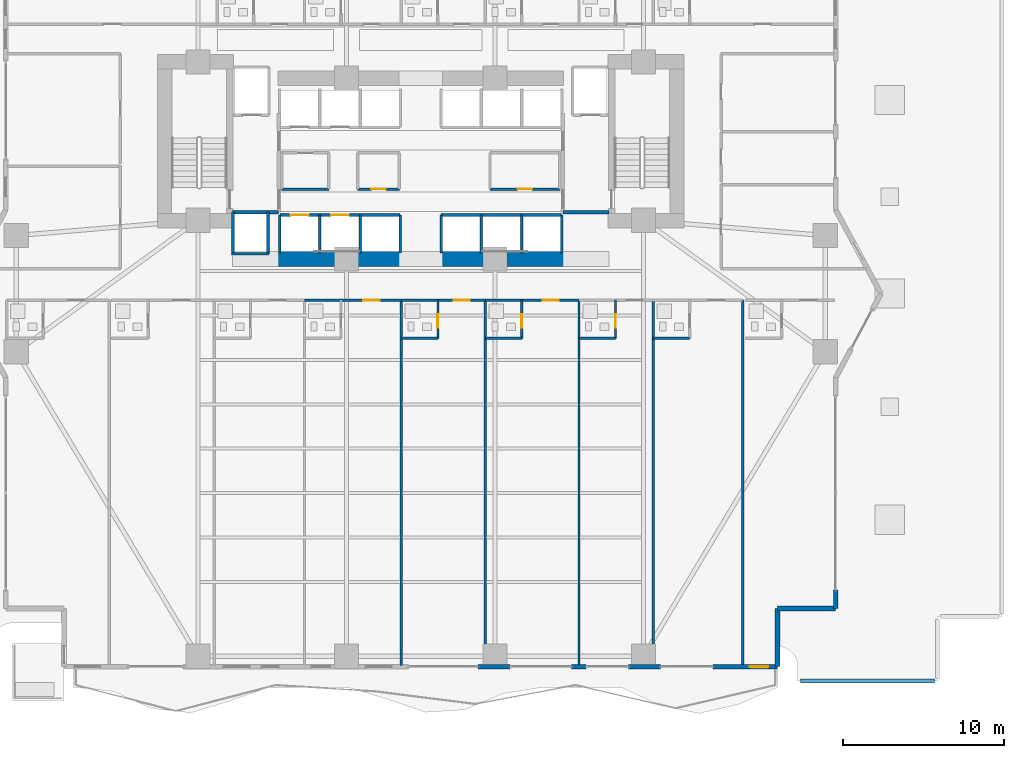
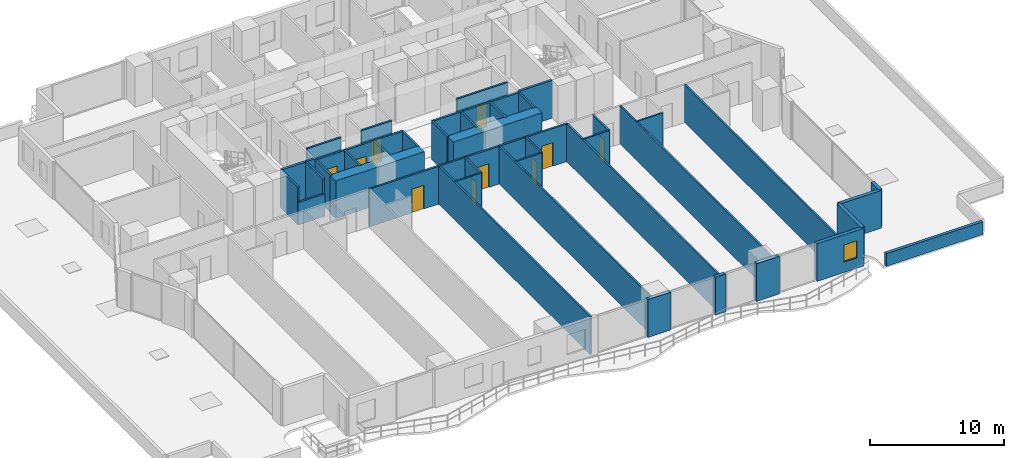
# One storey, part 21 of 30: 47 walls, 10 doors, 1 window, 11 openings.
"""IFC4 building model written with IfcOpenShell, lengths in metres."""

from ifc_helpers import new_model, si_unit, direction, frame, frame_2d, origin, place, context, subcontext, project, spatial, rectangle, extrude, material, layer, layer_set, type_object, element, fill, save


model = new_model("IFC4")

# Units and contexts
model_context = context("Model", 3, precision=1e-05, world=origin(), true_north=direction((0.0, 1.0)))
body_context = subcontext(model_context, "Body", "Model", "MODEL_VIEW")
ifc_project = project(units=[si_unit("LENGTHUNIT", "METRE"), si_unit("AREAUNIT", "SQUARE_METRE"), si_unit("VOLUMEUNIT", "CUBIC_METRE"), si_unit("PLANEANGLEUNIT", "RADIAN"), si_unit("MASSUNIT", "GRAM", prefix="KILO")], contexts=[model_context])

# Site, building, storey
site_placement = place(None, origin())
site = spatial("IfcSite", under=ifc_project, at=site_placement, CompositionType="ELEMENT")
building_placement = place(site_placement, origin())
building = spatial("IfcBuilding", under=site, at=building_placement, Name="Zuhayl Quay Hotel", CompositionType="ELEMENT")
storey_placement = place(building_placement, frame((0.0, 0.0, 27.60009765625)))
storey = spatial("IfcBuildingStorey", under=building, at=storey_placement, Name="L05", CompositionType="ELEMENT", Elevation=27.60009765625)

# Walls
ifc_material_1 = material(Name="Concrete C70/85", Category="concrete")
ifc_layer_1 = layer(ifc_material_1, 0.89990234375, Name="Concrete C70/85", Category="concrete")
ifc_layer_set_1 = layer_set([ifc_layer_1], Name="Concrete C70/85")
wall_type_1 = type_object("IfcWallType", Name="WL_CORE_900", PredefinedType="SHEAR", material=ifc_layer_set_1)
for number, where, z_axis, x_axis, name in (
    (1, (-8.85009765625, 2.14990234375, 0.0), (0.0, 0.0, 1.0), (1.0, 0.0, 0.0), "L05 Core Shear Wall CW_SC_W"),
    (2, (1.25, 2.14990234375, 0.0), (0.0, 0.0, 1.0), (1.0, 0.0, 0.0), "L05 Core Shear Wall CW_SC_E"),
):
    element("IfcWall", number, at=place(storey_placement, frame(where, z_axis=z_axis, x_axis=x_axis)), inside=storey, type_object=wall_type_1, Name=name, PredefinedType="SHEAR", context=body_context, shape_type="SweptSolid", body=[
        extrude(rectangle(XDim=7.60009765625, YDim=0.89990234375, at=frame_2d((3.800048828125, 0.0))), origin(), (0.0, 0.0, 1.0), 3.429931640625),
    ])
ifc_material_2 = material(Name="Precast concrete C45/55", Category="concrete")
ifc_layer_2 = layer(ifc_material_2, 0.300048828125, Name="Precast concrete C45/55", Category="concrete")
ifc_layer_set_2 = layer_set([ifc_layer_2], Name="Precast concrete C45/55")
wall_type_2 = type_object("IfcWallType", Name="WL_EXT_300", PredefinedType="STANDARD", material=ifc_layer_set_2)
wall_1_placement = place(storey_placement, frame((25.699951171875, -18.35009765625, 0.0), z_axis=(0.0, 0.0, 1.0), x_axis=(0.0, -1.0, 0.0)))
element("IfcWall", 3, at=wall_1_placement, inside=storey, type_object=wall_type_2, Name="L05 Exterior Precast Wall ENV_L05_E14_EW2", PredefinedType="STANDARD", context=body_context, shape_type="SweptSolid", body=[
    extrude(rectangle(XDim=1.14990234375, YDim=0.300048828125, at=frame_2d((0.574951171875, 0.0))), origin(), (0.0, 0.0, 1.0), 3.429931640625),
])
wall_2_placement = place(storey_placement, frame((25.699951171875, -19.5, 0.0), z_axis=(0.0, 0.0, 1.0), x_axis=(-1.0, 0.0, 0.0)))
element("IfcWall", 4, at=wall_2_placement, inside=storey, type_object=wall_type_2, Name="L05 Exterior Precast Wall ENV_L05_EW15", PredefinedType="STANDARD", context=body_context, shape_type="SweptSolid", body=[
    extrude(rectangle(XDim=3.599853515625, YDim=0.300048828125, at=frame_2d((1.7998046875, 0.0))), origin(), (0.0, 0.0, 1.0), 3.429931640625),
])
wall_3_placement = place(storey_placement, frame((22.10009765625, -19.5, 0.0), z_axis=(0.0, 0.0, 1.0), x_axis=(0.0, -1.0, 0.0)))
element("IfcWall", 5, at=wall_3_placement, inside=storey, type_object=wall_type_2, Name="L05 Exterior Precast Wall ENV_L05_EW16", PredefinedType="STANDARD", context=body_context, shape_type="SweptSolid", body=[
    extrude(rectangle(XDim=3.60009765625, YDim=0.300048828125, at=frame_2d((1.800048828125, 0.0))), origin(), (0.0, 0.0, 1.0), 3.429931640625),
])

# Wall, opening, window
wall_4_placement = place(storey_placement, frame((22.10009765625, -23.10009765625, 0.0), z_axis=(0.0, 0.0, 1.0), x_axis=(-1.0, 0.0, 0.0)))
wall_4 = element("IfcWall", 6, at=wall_4_placement, inside=storey, type_object=wall_type_2, Name="L05 Exterior Precast Wall ENV_L05_S_EW1", PredefinedType="STANDARD", context=body_context, shape_type="SweptSolid", body=[
    extrude(rectangle(XDim=4.0, YDim=0.300048828125, at=frame_2d((2.0, 0.0))), origin(), (0.0, 0.0, 1.0), 3.429931640625),
])
opening_1_placement = place(wall_4_placement, frame((0.56494140625, 0.0, 0.949951171875)))
opening_1 = element("IfcOpeningElement", 7, at=opening_1_placement, cuts=wall_4, Name="Opening W01N", PredefinedType="OPENING", context=body_context, shape_type="SweptSolid", body=[
    extrude(rectangle(XDim=1.14990234375, YDim=1.550048828125, at=frame_2d((0.574951171875, 0.77490234375))), frame((0.0, 0.159912109375, 0.0), z_axis=(0.0, -1.0, 0.0), x_axis=(1.0, 0.0, 0.0)), (0.0, 0.0, 1.0), 0.320068359375),
])
ifc_material_3 = material(Name="Dark Ceramic-Fritted Solar Glass", Category="glass")
window_type = type_object("IfcWindowType", Name="WN_NOTCH_1350", PartitioningType="SINGLE_PANEL", PredefinedType="WINDOW", material=ifc_material_3)
window_placement = place(opening_1_placement, origin())
window = element("IfcWindow", 8, at=window_placement, inside=storey, type_object=window_type, Name="L05 Operable Facade Window 1-1", OverallHeight=1.550048828125, OverallWidth=1.14990234375, PartitioningType="SINGLE_PANEL", PredefinedType="WINDOW", context=body_context, shape_type="SweptSolid", body=[
    extrude(rectangle(XDim=1.14990234375, YDim=1.550048828125, at=frame_2d((0.574951171875, 0.77490234375))), frame((0.0, 0.030029296875, 0.0), z_axis=(0.0, -1.0, 0.0), x_axis=(1.0, 0.0, 0.0)), (0.0, 0.0, 1.0), 0.06005859375),
])
fill(opening_1, window)

# Walls
wall_5_placement = place(storey_placement, frame((14.85009765625, -23.10009765625, 0.0), z_axis=(0.0, 0.0, 1.0), x_axis=(-1.0, 0.0, 0.0)))
element("IfcWall", 9, at=wall_5_placement, inside=storey, type_object=wall_type_2, Name="L05 Exterior Precast Wall ENV_L05_S_EW2", PredefinedType="STANDARD", context=body_context, shape_type="SweptSolid", body=[
    extrude(rectangle(XDim=1.97021484375, YDim=0.300048828125, at=frame_2d((0.985107421875, 0.0))), origin(), (0.0, 0.0, 1.0), 3.429931640625),
])
wall_6_placement = place(storey_placement, frame((10.25, -23.10009765625, 0.0), z_axis=(0.0, 0.0, 1.0), x_axis=(-1.0, 0.0, 0.0)))
element("IfcWall", 10, at=wall_6_placement, inside=storey, type_object=wall_type_2, Name="L05 Exterior Precast Wall ENV_L05_S_EW3", PredefinedType="STANDARD", context=body_context, shape_type="SweptSolid", body=[
    extrude(rectangle(XDim=0.89990234375, YDim=0.300048828125, at=frame_2d((0.449951171875, 0.0))), origin(), (0.0, 0.0, 1.0), 3.429931640625),
])
wall_7_placement = place(storey_placement, frame((5.52001953125, -23.10009765625, 0.0), z_axis=(0.0, 0.0, 1.0), x_axis=(-1.0, 0.0, 0.0)))
element("IfcWall", 11, at=wall_7_placement, inside=storey, type_object=wall_type_2, Name="L05 Exterior Precast Wall ENV_L05_S_EW4", PredefinedType="STANDARD", context=body_context, shape_type="SweptSolid", body=[
    extrude(rectangle(XDim=1.969970703125, YDim=0.300048828125, at=frame_2d((0.98486328125, 0.0))), origin(), (0.0, 0.0, 1.0), 3.429931640625),
])
ifc_layer_3 = layer(ifc_material_2, 0.25, Name="Precast concrete C45/55", Category="concrete")
ifc_layer_set_3 = layer_set([ifc_layer_3], Name="Precast concrete C45/55")
wall_type_3 = type_object("IfcWallType", Name="WL_PARAPET_250", PredefinedType="PARAPET", material=ifc_layer_set_3)
wall_8_placement = place(storey_placement, frame((31.820068359375, -24.0, 0.0), z_axis=(0.0, 0.0, 1.0), x_axis=(-1.0, 0.0, 0.0)))
element("IfcWall", 12, at=wall_8_placement, inside=storey, type_object=wall_type_3, Name="L05 Setback Roof Parapet 2-1", PredefinedType="PARAPET", context=body_context, shape_type="SweptSolid", body=[
    extrude(rectangle(XDim=8.2900390625, YDim=0.25, at=frame_2d((4.14501953125, 0.0))), origin(), (0.0, 0.0, 1.0), 1.14990234375),
])

# Wall, opening, door
ifc_material_4 = material(Name="Acoustic Gypsum Partition STC-58")
ifc_layer_4 = layer(ifc_material_4, 0.14990234375, Name="Acoustic Gypsum Partition STC-58")
ifc_layer_set_4 = layer_set([ifc_layer_4], Name="Acoustic Gypsum Partition STC-58")
wall_type_4 = type_object("IfcWallType", Name="WL_PART_150", PredefinedType="PARTITIONING", material=ifc_layer_set_4)
wall_9_placement = place(storey_placement, frame((-3.909912109375, 6.47998046875, 0.0), z_axis=(0.0, 0.0, 1.0), x_axis=(1.0, 0.0, 0.0)))
wall_9 = element("IfcWall", 13, at=wall_9_placement, inside=storey, type_object=wall_type_4, Name="L05 Partition IW_L05_CORE_BC_S", PredefinedType="PARTITIONING", context=body_context, shape_type="SweptSolid", body=[
    extrude(rectangle(XDim=2.58984375, YDim=0.14990234375, at=frame_2d((1.294921875, 0.0))), origin(), (0.0, 0.0, 1.0), 3.429931640625),
])
opening_2_placement = place(wall_9_placement, frame((0.844970703125, 0.0, 0.0)))
opening_2 = element("IfcOpeningElement", 14, at=opening_2_placement, cuts=wall_9, Name="Opening D06", PredefinedType="OPENING", context=body_context, shape_type="SweptSolid", body=[
    extrude(rectangle(XDim=0.89990234375, YDim=2.14990234375, at=frame_2d((0.449951171875, 1.074951171875))), frame((0.0, 0.0849609375, 0.0), z_axis=(0.0, -1.0, 0.0), x_axis=(1.0, 0.0, 0.0)), (0.0, 0.0, 1.0), 0.169921875),
])
ifc_material_5 = material(Name="Steel ASTM A992 Grade 50", Category="steel")
door_type_1 = type_object("IfcDoorType", Name="DR_INT_900", OperationType="NOTDEFINED", PredefinedType="DOOR", material=ifc_material_5)
door_1_placement = place(opening_2_placement, origin())
door_1 = element("IfcDoor", 15, at=door_1_placement, inside=storey, type_object=door_type_1, Name="L05 BMS Control Closet Door", OperationType="SINGLE_SWING_RIGHT", OverallHeight=2.14990234375, OverallWidth=0.89990234375, PredefinedType="DOOR", context=body_context, shape_type="SweptSolid", body=[
    extrude(rectangle(XDim=0.89990234375, YDim=2.14990234375, at=frame_2d((0.449951171875, 1.074951171875))), frame((0.0, 0.02490234375, 0.0), z_axis=(0.0, -1.0, 0.0), x_axis=(1.0, 0.0, 0.0)), (0.0, 0.0, 1.0), 0.050048828125),
])
fill(opening_2, door_1)

wall_10_placement = place(storey_placement, frame((4.2900390625, 6.47998046875, 0.0), z_axis=(0.0, 0.0, 1.0), x_axis=(1.0, 0.0, 0.0)))
wall_10 = element("IfcWall", 16, at=wall_10_placement, inside=storey, type_object=wall_type_4, Name="L05 Partition IW_L05_CORE_VL_S", PredefinedType="PARTITIONING", context=body_context, shape_type="SweptSolid", body=[
    extrude(rectangle(XDim=4.320068359375, YDim=0.14990234375, at=frame_2d((2.16015625, 0.0))), origin(), (0.0, 0.0, 1.0), 3.429931640625),
])
opening_3_placement = place(wall_10_placement, frame((1.7099609375, 0.0, 0.0)))
opening_3 = element("IfcOpeningElement", 17, at=opening_3_placement, cuts=wall_10, Name="Opening D06", PredefinedType="OPENING", context=body_context, shape_type="SweptSolid", body=[
    extrude(rectangle(XDim=0.89990234375, YDim=2.14990234375, at=frame_2d((0.449951171875, 1.074951171875))), frame((0.0, 0.0849609375, 0.0), z_axis=(0.0, -1.0, 0.0), x_axis=(1.0, 0.0, 0.0)), (0.0, 0.0, 1.0), 0.169921875),
])
door_2_placement = place(opening_3_placement, origin())
door_2 = element("IfcDoor", 18, at=door_2_placement, inside=storey, type_object=door_type_1, Name="L05 Floor Valet Store Door", OperationType="SINGLE_SWING_LEFT", OverallHeight=2.14990234375, OverallWidth=0.89990234375, PredefinedType="DOOR", context=body_context, shape_type="SweptSolid", body=[
    extrude(rectangle(XDim=0.89990234375, YDim=2.14990234375, at=frame_2d((0.449951171875, 1.074951171875))), frame((0.0, 0.02490234375, 0.0), z_axis=(0.0, -1.0, 0.0), x_axis=(1.0, 0.0, 0.0)), (0.0, 0.0, 1.0), 0.050048828125),
])
fill(opening_3, door_2)

# Walls
wall_11_placement = place(storey_placement, frame((-8.610107421875, 6.47998046875, 0.0), z_axis=(0.0, 0.0, 1.0), x_axis=(1.0, 0.0, 0.0)))
element("IfcWall", 19, at=wall_11_placement, inside=storey, type_object=wall_type_4, Name="L05 Partition IW_L05_CORE_HK_S", PredefinedType="PARTITIONING", context=body_context, shape_type="SweptSolid", body=[
    extrude(rectangle(XDim=2.920166015625, YDim=0.14990234375, at=frame_2d((1.4599609375, 0.0))), origin(), (0.0, 0.0, 1.0), 3.429931640625),
])
for number, where, z_axis, x_axis, name in (
    (20, (-1.199951171875, -23.02001953125, 0.0), (0.0, 0.0, 1.0), (0.0, 1.0, 0.0), "L05 Partition IW_L05_SU03_E"),
    (21, (4.0, -23.02001953125, 0.0), (0.0, 0.0, 1.0), (0.0, 1.0, 0.0), "L05 Partition IW_L05_SU04_E"),
    (22, (9.800048828125, -23.02001953125, 0.0), (0.0, 0.0, 1.0), (0.0, 1.0, 0.0), "L05 Partition IW_L05_SU05_E"),
    (23, (14.39990234375, -23.02001953125, 0.0), (0.0, 0.0, 1.0), (0.0, 1.0, 0.0), "L05 Partition IW_L05_SU06_E"),
    (24, (19.93994140625, -23.02001953125, 0.0), (0.0, 0.0, 1.0), (0.0, 1.0, 0.0), "L05 Partition IW_L05_SU07A_E"),
):
    element("IfcWall", number, at=place(storey_placement, frame(where, z_axis=z_axis, x_axis=x_axis)), inside=storey, type_object=wall_type_4, Name=name, PredefinedType="PARTITIONING", context=body_context, shape_type="SweptSolid", body=[
        extrude(rectangle(XDim=22.6201171875, YDim=0.14990234375, at=frame_2d((11.31005859375, 0.0))), origin(), (0.0, 0.0, 1.0), 3.429931640625),
    ])

# Wall, opening, door
ifc_layer_5 = layer(ifc_material_4, 0.159912109375, Name="Acoustic Gypsum Partition STC-58")
ifc_layer_set_5 = layer_set([ifc_layer_5], Name="Acoustic Gypsum Partition STC-58")
wall_type_5 = type_object("IfcWallType", Name="WL_PART_CORR_160", PredefinedType="PARTITIONING", material=ifc_layer_set_5)
wall_12_placement = place(storey_placement, frame((-7.199951171875, -0.39990234375, 0.0), z_axis=(0.0, 0.0, 1.0), x_axis=(1.0, 0.0, 0.0)))
wall_12 = element("IfcWall", 25, at=wall_12_placement, inside=storey, type_object=wall_type_5, Name="L05 Partition IW_L05_SU03_COR", PredefinedType="PARTITIONING", context=body_context, shape_type="SweptSolid", body=[
    extrude(rectangle(XDim=6.0, YDim=0.159912109375, at=frame_2d((3.0, 0.0))), origin(), (0.0, 0.0, 1.0), 3.429931640625),
])
opening_4_placement = place(wall_12_placement, frame((3.64990234375, 0.0, 0.0)))
opening_4 = element("IfcOpeningElement", 26, at=opening_4_placement, cuts=wall_12, Name="Opening D03L", PredefinedType="OPENING", context=body_context, shape_type="SweptSolid", body=[
    extrude(rectangle(XDim=1.0, YDim=2.14990234375, at=frame_2d((0.5, 1.074951171875))), frame((0.0, 0.08984375, 0.0), z_axis=(0.0, -1.0, 0.0), x_axis=(1.0, 0.0, 0.0)), (0.0, 0.0, 1.0), 0.179931640625),
])
ifc_material_6 = material(Name="Solid Walnut Acoustic Fire Door")
door_type_2 = type_object("IfcDoorType", Name="DR_SUITE_1000", OperationType="NOTDEFINED", PredefinedType="DOOR", material=ifc_material_6)
door_3_placement = place(opening_4_placement, origin())
door_3 = element("IfcDoor", 27, at=door_3_placement, inside=storey, type_object=door_type_2, Name="L05 Premier Twin Junior Suite L05-03 Entrance Door", OperationType="SINGLE_SWING_RIGHT", OverallHeight=2.14990234375, OverallWidth=1.0, PredefinedType="DOOR", context=body_context, shape_type="SweptSolid", body=[
    extrude(rectangle(XDim=1.0, YDim=2.14990234375, at=frame_2d((0.5, 1.074951171875))), frame((0.0, 0.02490234375, 0.0), z_axis=(0.0, -1.0, 0.0), x_axis=(1.0, 0.0, 0.0)), (0.0, 0.0, 1.0), 0.050048828125),
])
fill(opening_4, door_3)

wall_13_placement = place(storey_placement, frame((-1.199951171875, -0.39990234375, 0.0), z_axis=(0.0, 0.0, 1.0), x_axis=(1.0, 0.0, 0.0)))
wall_13 = element("IfcWall", 28, at=wall_13_placement, inside=storey, type_object=wall_type_5, Name="L05 Partition IW_L05_SU04_COR", PredefinedType="PARTITIONING", context=body_context, shape_type="SweptSolid", body=[
    extrude(rectangle(XDim=5.199951171875, YDim=0.159912109375, at=frame_2d((2.60009765625, 0.0))), origin(), (0.0, 0.0, 1.0), 3.429931640625),
])
opening_5_placement = place(wall_13_placement, frame((3.25, 0.0, 0.0)))
opening_5 = element("IfcOpeningElement", 29, at=opening_5_placement, cuts=wall_13, Name="Opening D03L", PredefinedType="OPENING", context=body_context, shape_type="SweptSolid", body=[
    extrude(rectangle(XDim=1.0, YDim=2.14990234375, at=frame_2d((0.5, 1.074951171875))), frame((0.0, 0.08984375, 0.0), z_axis=(0.0, -1.0, 0.0), x_axis=(1.0, 0.0, 0.0)), (0.0, 0.0, 1.0), 0.179931640625),
])
door_4_placement = place(opening_5_placement, origin())
door_4 = element("IfcDoor", 30, at=door_4_placement, inside=storey, type_object=door_type_2, Name="L05 Premier Twin Junior Suite L05-04 Entrance Door", OperationType="SINGLE_SWING_RIGHT", OverallHeight=2.14990234375, OverallWidth=1.0, PredefinedType="DOOR", context=body_context, shape_type="SweptSolid", body=[
    extrude(rectangle(XDim=1.0, YDim=2.14990234375, at=frame_2d((0.5, 1.074951171875))), frame((0.0, 0.02490234375, 0.0), z_axis=(0.0, -1.0, 0.0), x_axis=(1.0, 0.0, 0.0)), (0.0, 0.0, 1.0), 0.050048828125),
])
fill(opening_5, door_4)

wall_14_placement = place(storey_placement, frame((4.0, -0.39990234375, 0.0), z_axis=(0.0, 0.0, 1.0), x_axis=(1.0, 0.0, 0.0)))
wall_14 = element("IfcWall", 31, at=wall_14_placement, inside=storey, type_object=wall_type_5, Name="L05 Partition IW_L05_SU05_COR", PredefinedType="PARTITIONING", context=body_context, shape_type="SweptSolid", body=[
    extrude(rectangle(XDim=5.800048828125, YDim=0.159912109375, at=frame_2d((2.89990234375, 0.0))), origin(), (0.0, 0.0, 1.0), 3.429931640625),
])
opening_6_placement = place(wall_14_placement, frame((3.550048828125, 0.0, 0.0)))
opening_6 = element("IfcOpeningElement", 32, at=opening_6_placement, cuts=wall_14, Name="Opening D03L", PredefinedType="OPENING", context=body_context, shape_type="SweptSolid", body=[
    extrude(rectangle(XDim=1.0, YDim=2.14990234375, at=frame_2d((0.5, 1.074951171875))), frame((0.0, 0.08984375, 0.0), z_axis=(0.0, -1.0, 0.0), x_axis=(1.0, 0.0, 0.0)), (0.0, 0.0, 1.0), 0.179931640625),
])
door_5_placement = place(opening_6_placement, origin())
door_5 = element("IfcDoor", 33, at=door_5_placement, inside=storey, type_object=door_type_2, Name="L05 Premier Twin Junior Suite L05-05 Entrance Door", OperationType="SINGLE_SWING_RIGHT", OverallHeight=2.14990234375, OverallWidth=1.0, PredefinedType="DOOR", context=body_context, shape_type="SweptSolid", body=[
    extrude(rectangle(XDim=1.0, YDim=2.14990234375, at=frame_2d((0.5, 1.074951171875))), frame((0.0, 0.02490234375, 0.0), z_axis=(0.0, -1.0, 0.0), x_axis=(1.0, 0.0, 0.0)), (0.0, 0.0, 1.0), 0.050048828125),
])
fill(opening_6, door_5)

ifc_material_7 = material(Name="Moisture-Resistant Sanitarychase Gypsum")
ifc_layer_6 = layer(ifc_material_7, 0.135009765625, Name="Moisture-Resistant Sanitarychase Gypsum")
ifc_layer_set_6 = layer_set([ifc_layer_6], Name="Moisture-Resistant Sanitarychase Gypsum")
wall_type_6 = type_object("IfcWallType", Name="WL_PART_PLUMB_150", PredefinedType="PLUMBINGWALL", material=ifc_layer_set_6)
wall_15_placement = place(storey_placement, frame((1.06005859375, -2.760009765625, 0.0), z_axis=(0.0, 0.0, 1.0), x_axis=(0.0, 1.0, 0.0)))
wall_15 = element("IfcWall", 34, at=wall_15_placement, inside=storey, type_object=wall_type_6, Name="L05 Partition IW_L05_SU04_BE", PredefinedType="PLUMBINGWALL", context=body_context, shape_type="SweptSolid", body=[
    extrude(rectangle(XDim=2.360107421875, YDim=0.135009765625, at=frame_2d((1.18017578125, 0.0))), origin(), (0.0, 0.0, 1.0), 3.429931640625),
])
opening_7_placement = place(wall_15_placement, frame((0.64990234375, 0.0, 0.0)))
opening_7 = element("IfcOpeningElement", 35, at=opening_7_placement, cuts=wall_15, Name="Opening D04", PredefinedType="OPENING", context=body_context, shape_type="SweptSolid", body=[
    extrude(rectangle(XDim=0.85009765625, YDim=2.10009765625, at=frame_2d((0.425048828125, 1.050048828125))), frame((0.0, 0.077392578125, 0.0), z_axis=(0.0, -1.0, 0.0), x_axis=(1.0, 0.0, 0.0)), (0.0, 0.0, 1.0), 0.155029296875),
])
ifc_material_8 = material(Name="Moisture-Resistant Walnut Veneer")
door_type_3 = type_object("IfcDoorType", Name="DR_BATH_850", OperationType="NOTDEFINED", PredefinedType="DOOR", material=ifc_material_8)
door_6_placement = place(opening_7_placement, origin())
door_6 = element("IfcDoor", 36, at=door_6_placement, inside=storey, type_object=door_type_3, Name="L05 Premier Twin Junior Suite L05-04 En-Suite Door", OperationType="SINGLE_SWING_LEFT", OverallHeight=2.10009765625, OverallWidth=0.85009765625, PredefinedType="DOOR", context=body_context, shape_type="SweptSolid", body=[
    extrude(rectangle(XDim=0.85009765625, YDim=2.10009765625, at=frame_2d((0.425048828125, 1.050048828125))), frame((0.0, 0.02490234375, 0.0), z_axis=(0.0, -1.0, 0.0), x_axis=(1.0, 0.0, 0.0)), (0.0, 0.0, 1.0), 0.050048828125),
])
fill(opening_7, door_6)

wall_16_placement = place(storey_placement, frame((6.260009765625, -2.760009765625, 0.0), z_axis=(0.0, 0.0, 1.0), x_axis=(0.0, 1.0, 0.0)))
wall_16 = element("IfcWall", 37, at=wall_16_placement, inside=storey, type_object=wall_type_6, Name="L05 Partition IW_L05_SU05_BE", PredefinedType="PLUMBINGWALL", context=body_context, shape_type="SweptSolid", body=[
    extrude(rectangle(XDim=2.360107421875, YDim=0.135009765625, at=frame_2d((1.18017578125, 0.0))), origin(), (0.0, 0.0, 1.0), 3.429931640625),
])
opening_8_placement = place(wall_16_placement, frame((0.64990234375, 0.0, 0.0)))
opening_8 = element("IfcOpeningElement", 38, at=opening_8_placement, cuts=wall_16, Name="Opening D04", PredefinedType="OPENING", context=body_context, shape_type="SweptSolid", body=[
    extrude(rectangle(XDim=0.85009765625, YDim=2.10009765625, at=frame_2d((0.425048828125, 1.050048828125))), frame((0.0, 0.077392578125, 0.0), z_axis=(0.0, -1.0, 0.0), x_axis=(1.0, 0.0, 0.0)), (0.0, 0.0, 1.0), 0.155029296875),
])
door_7_placement = place(opening_8_placement, origin())
door_7 = element("IfcDoor", 39, at=door_7_placement, inside=storey, type_object=door_type_3, Name="L05 Premier Twin Junior Suite L05-05 En-Suite Door", OperationType="SINGLE_SWING_LEFT", OverallHeight=2.10009765625, OverallWidth=0.85009765625, PredefinedType="DOOR", context=body_context, shape_type="SweptSolid", body=[
    extrude(rectangle(XDim=0.85009765625, YDim=2.10009765625, at=frame_2d((0.425048828125, 1.050048828125))), frame((0.0, 0.02490234375, 0.0), z_axis=(0.0, -1.0, 0.0), x_axis=(1.0, 0.0, 0.0)), (0.0, 0.0, 1.0), 0.050048828125),
])
fill(opening_8, door_7)

wall_17_placement = place(storey_placement, frame((12.06005859375, -2.760009765625, 0.0), z_axis=(0.0, 0.0, 1.0), x_axis=(0.0, 1.0, 0.0)))
wall_17 = element("IfcWall", 40, at=wall_17_placement, inside=storey, type_object=wall_type_6, Name="L05 Partition IW_L05_SU06_BE", PredefinedType="PLUMBINGWALL", context=body_context, shape_type="SweptSolid", body=[
    extrude(rectangle(XDim=2.360107421875, YDim=0.135009765625, at=frame_2d((1.18017578125, 0.0))), origin(), (0.0, 0.0, 1.0), 3.429931640625),
])
opening_9_placement = place(wall_17_placement, frame((0.64990234375, 0.0, 0.0)))
opening_9 = element("IfcOpeningElement", 41, at=opening_9_placement, cuts=wall_17, Name="Opening D04", PredefinedType="OPENING", context=body_context, shape_type="SweptSolid", body=[
    extrude(rectangle(XDim=0.85009765625, YDim=2.10009765625, at=frame_2d((0.425048828125, 1.050048828125))), frame((0.0, 0.077392578125, 0.0), z_axis=(0.0, -1.0, 0.0), x_axis=(1.0, 0.0, 0.0)), (0.0, 0.0, 1.0), 0.155029296875),
])
door_8_placement = place(opening_9_placement, origin())
door_8 = element("IfcDoor", 42, at=door_8_placement, inside=storey, type_object=door_type_3, Name="L05 Premier Twin Junior Suite L05-06 En-Suite Door", OperationType="SINGLE_SWING_LEFT", OverallHeight=2.10009765625, OverallWidth=0.85009765625, PredefinedType="DOOR", context=body_context, shape_type="SweptSolid", body=[
    extrude(rectangle(XDim=0.85009765625, YDim=2.10009765625, at=frame_2d((0.425048828125, 1.050048828125))), frame((0.0, 0.02490234375, 0.0), z_axis=(0.0, -1.0, 0.0), x_axis=(1.0, 0.0, 0.0)), (0.0, 0.0, 1.0), 0.050048828125),
])
fill(opening_9, door_8)

# Walls
for number, where, z_axis, x_axis, name in (
    (43, (-1.199951171875, -2.760009765625, 0.0), (0.0, 0.0, 1.0), (1.0, 0.0, 0.0), "L05 Partition IW_L05_SU04_BS"),
    (44, (4.0, -2.760009765625, 0.0), (0.0, 0.0, 1.0), (1.0, 0.0, 0.0), "L05 Partition IW_L05_SU05_BS"),
    (45, (9.800048828125, -2.760009765625, 0.0), (0.0, 0.0, 1.0), (1.0, 0.0, 0.0), "L05 Partition IW_L05_SU06_BS"),
    (46, (14.39990234375, -2.760009765625, 0.0), (0.0, 0.0, 1.0), (1.0, 0.0, 0.0), "L05 Partition IW_L05_SU07A_BS"),
):
    element("IfcWall", number, at=place(storey_placement, frame(where, z_axis=z_axis, x_axis=x_axis)), inside=storey, type_object=wall_type_6, Name=name, PredefinedType="PLUMBINGWALL", context=body_context, shape_type="SweptSolid", body=[
        extrude(rectangle(XDim=2.260009765625, YDim=0.135009765625, at=frame_2d((1.1298828125, 0.0))), origin(), (0.0, 0.0, 1.0), 3.429931640625),
    ])

# Wall, opening, door
ifc_material_9 = material(Name="Gypsum Fireboard Assembly EI-90")
ifc_layer_7 = layer(ifc_material_9, 0.1650390625, Name="Gypsum Fireboard Assembly EI-90")
ifc_layer_set_7 = layer_set([ifc_layer_7], Name="Gypsum Fireboard Assembly EI-90")
wall_type_7 = type_object("IfcWallType", Name="WL_PART_SHAFT_160", PredefinedType="PARTITIONING", material=ifc_layer_set_7)
wall_18_placement = place(storey_placement, frame((-8.72998046875, 4.8798828125, 0.0), z_axis=(0.0, 0.0, 1.0), x_axis=(1.0, 0.0, 0.0)))
wall_18 = element("IfcWall", 47, at=wall_18_placement, inside=storey, type_object=wall_type_7, Name="L05 Partition IW_L05_SH_LP1_F", PredefinedType="PARTITIONING", context=body_context, shape_type="SweptSolid", body=[
    extrude(rectangle(XDim=2.47998046875, YDim=0.1650390625, at=frame_2d((1.239990234375, 0.0))), origin(), (0.0, 0.0, 1.0), 3.429931640625),
])
opening_10_placement = place(wall_18_placement, frame((0.68994140625, 0.0, 0.0)))
opening_10 = element("IfcOpeningElement", 48, at=opening_10_placement, cuts=wall_18, Name="Opening LD1", PredefinedType="OPENING", context=body_context, shape_type="SweptSolid", body=[
    extrude(rectangle(XDim=1.10009765625, YDim=2.25, at=frame_2d((0.550048828125, 1.125))), frame((0.0, 0.092529296875, 0.0), z_axis=(0.0, -1.0, 0.0), x_axis=(1.0, 0.0, 0.0)), (0.0, 0.0, 1.0), 0.18505859375),
])
ifc_material_10 = material(Name="Brushed Stainless Steel", Category="steel")
door_type_4 = type_object("IfcDoorType", Name="DR_LIFT_PASS_1100", OperationType="SLIDING_TO_LEFT", PredefinedType="DOOR", material=ifc_material_10)
door_9_placement = place(opening_10_placement, origin())
door_9 = element("IfcDoor", 49, at=door_9_placement, inside=storey, type_object=door_type_4, Name="L05 Lift LP1 Sliding Landing Door", OperationType="SLIDING_TO_LEFT", OverallHeight=2.25, OverallWidth=1.10009765625, PredefinedType="DOOR", context=body_context, shape_type="SweptSolid", body=[
    extrude(rectangle(XDim=1.10009765625, YDim=2.25, at=frame_2d((0.550048828125, 1.125))), frame((0.0, 0.02490234375, 0.0), z_axis=(0.0, -1.0, 0.0), x_axis=(1.0, 0.0, 0.0)), (0.0, 0.0, 1.0), 0.050048828125),
])
fill(opening_10, door_9)

wall_19_placement = place(storey_placement, frame((-6.25, 4.8798828125, 0.0), z_axis=(0.0, 0.0, 1.0), x_axis=(1.0, 0.0, 0.0)))
wall_19 = element("IfcWall", 50, at=wall_19_placement, inside=storey, type_object=wall_type_7, Name="L05 Partition IW_L05_SH_LP2_F", PredefinedType="PARTITIONING", context=body_context, shape_type="SweptSolid", body=[
    extrude(rectangle(XDim=2.5, YDim=0.1650390625, at=frame_2d((1.25, 0.0))), origin(), (0.0, 0.0, 1.0), 3.429931640625),
])
opening_11_placement = place(wall_19_placement, frame((0.699951171875, 0.0, 0.0)))
opening_11 = element("IfcOpeningElement", 51, at=opening_11_placement, cuts=wall_19, Name="Opening LD1", PredefinedType="OPENING", context=body_context, shape_type="SweptSolid", body=[
    extrude(rectangle(XDim=1.10009765625, YDim=2.25, at=frame_2d((0.550048828125, 1.125))), frame((0.0, 0.092529296875, 0.0), z_axis=(0.0, -1.0, 0.0), x_axis=(1.0, 0.0, 0.0)), (0.0, 0.0, 1.0), 0.18505859375),
])
door_10_placement = place(opening_11_placement, origin())
door_10 = element("IfcDoor", 52, at=door_10_placement, inside=storey, type_object=door_type_4, Name="L05 Lift LP2 Sliding Landing Door", OperationType="SLIDING_TO_LEFT", OverallHeight=2.25, OverallWidth=1.10009765625, PredefinedType="DOOR", context=body_context, shape_type="SweptSolid", body=[
    extrude(rectangle(XDim=1.10009765625, YDim=2.25, at=frame_2d((0.550048828125, 1.125))), frame((0.0, 0.02490234375, 0.0), z_axis=(0.0, -1.0, 0.0), x_axis=(1.0, 0.0, 0.0)), (0.0, 0.0, 1.0), 0.050048828125),
])
fill(opening_11, door_10)

# Walls
for number, where, z_axis, x_axis, name in (
    (53, (-8.72998046875, 2.52001953125, 0.0), (0.0, 0.0, 1.0), (0.0, 1.0, 0.0), "L05 Partition IW_L05_SH_LP1_W"),
    (54, (-6.25, 2.52001953125, 0.0), (0.0, 0.0, 1.0), (0.0, 1.0, 0.0), "L05 Partition IW_L05_SH_LP1_E"),
    (55, (-3.75, 2.52001953125, 0.0), (0.0, 0.0, 1.0), (0.0, 1.0, 0.0), "L05 Partition IW_L05_SH_LP2_E"),
):
    element("IfcWall", number, at=place(storey_placement, frame(where, z_axis=z_axis, x_axis=x_axis)), inside=storey, type_object=wall_type_7, Name=name, PredefinedType="PARTITIONING", context=body_context, shape_type="SweptSolid", body=[
        extrude(rectangle(XDim=2.35986328125, YDim=0.1650390625, at=frame_2d((1.179931640625, 0.0))), origin(), (0.0, 0.0, 1.0), 3.429931640625),
    ])
wall_20_placement = place(storey_placement, frame((-3.75, 4.8798828125, 0.0), z_axis=(0.0, 0.0, 1.0), x_axis=(1.0, 0.0, 0.0)))
element("IfcWall", 56, at=wall_20_placement, inside=storey, type_object=wall_type_7, Name="L05 Partition IW_L05_SH_MP1_F", PredefinedType="PARTITIONING", context=body_context, shape_type="SweptSolid", body=[
    extrude(rectangle(XDim=2.47998046875, YDim=0.1650390625, at=frame_2d((1.239990234375, 0.0))), origin(), (0.0, 0.0, 1.0), 3.429931640625),
])
wall_21_placement = place(storey_placement, frame((-1.27001953125, 2.52001953125, 0.0), z_axis=(0.0, 0.0, 1.0), x_axis=(0.0, 1.0, 0.0)))
element("IfcWall", 57, at=wall_21_placement, inside=storey, type_object=wall_type_7, Name="L05 Partition IW_L05_SH_MP1_E", PredefinedType="PARTITIONING", context=body_context, shape_type="SweptSolid", body=[
    extrude(rectangle(XDim=2.35986328125, YDim=0.1650390625, at=frame_2d((1.179931640625, 0.0))), origin(), (0.0, 0.0, 1.0), 3.429931640625),
])
wall_22_placement = place(storey_placement, frame((1.27001953125, 4.8798828125, 0.0), z_axis=(0.0, 0.0, 1.0), x_axis=(1.0, 0.0, 0.0)))
element("IfcWall", 58, at=wall_22_placement, inside=storey, type_object=wall_type_7, Name="L05 Partition IW_L05_SH_MP2_F", PredefinedType="PARTITIONING", context=body_context, shape_type="SweptSolid", body=[
    extrude(rectangle(XDim=2.47998046875, YDim=0.1650390625, at=frame_2d((1.239990234375, 0.0))), origin(), (0.0, 0.0, 1.0), 3.429931640625),
])
for number, where, z_axis, x_axis, name in (
    (59, (1.27001953125, 2.52001953125, 0.0), (0.0, 0.0, 1.0), (0.0, 1.0, 0.0), "L05 Partition IW_L05_SH_MP2_W"),
    (60, (3.75, 2.52001953125, 0.0), (0.0, 0.0, 1.0), (0.0, 1.0, 0.0), "L05 Partition IW_L05_SH_MP2_E"),
):
    element("IfcWall", number, at=place(storey_placement, frame(where, z_axis=z_axis, x_axis=x_axis)), inside=storey, type_object=wall_type_7, Name=name, PredefinedType="PARTITIONING", context=body_context, shape_type="SweptSolid", body=[
        extrude(rectangle(XDim=2.35986328125, YDim=0.1650390625, at=frame_2d((1.179931640625, 0.0))), origin(), (0.0, 0.0, 1.0), 3.429931640625),
    ])
wall_23_placement = place(storey_placement, frame((3.75, 4.8798828125, 0.0), z_axis=(0.0, 0.0, 1.0), x_axis=(1.0, 0.0, 0.0)))
element("IfcWall", 61, at=wall_23_placement, inside=storey, type_object=wall_type_7, Name="L05 Partition IW_L05_SH_HP1_F", PredefinedType="PARTITIONING", context=body_context, shape_type="SweptSolid", body=[
    extrude(rectangle(XDim=2.5, YDim=0.1650390625, at=frame_2d((1.25, 0.0))), origin(), (0.0, 0.0, 1.0), 3.429931640625),
])
wall_24_placement = place(storey_placement, frame((6.25, 2.52001953125, 0.0), z_axis=(0.0, 0.0, 1.0), x_axis=(0.0, 1.0, 0.0)))
element("IfcWall", 62, at=wall_24_placement, inside=storey, type_object=wall_type_7, Name="L05 Partition IW_L05_SH_HP1_E", PredefinedType="PARTITIONING", context=body_context, shape_type="SweptSolid", body=[
    extrude(rectangle(XDim=2.35986328125, YDim=0.1650390625, at=frame_2d((1.179931640625, 0.0))), origin(), (0.0, 0.0, 1.0), 3.429931640625),
])
wall_25_placement = place(storey_placement, frame((6.25, 4.8798828125, 0.0), z_axis=(0.0, 0.0, 1.0), x_axis=(1.0, 0.0, 0.0)))
element("IfcWall", 63, at=wall_25_placement, inside=storey, type_object=wall_type_7, Name="L05 Partition IW_L05_SH_HP2_F", PredefinedType="PARTITIONING", context=body_context, shape_type="SweptSolid", body=[
    extrude(rectangle(XDim=2.47998046875, YDim=0.1650390625, at=frame_2d((1.239990234375, 0.0))), origin(), (0.0, 0.0, 1.0), 3.429931640625),
])
wall_26_placement = place(storey_placement, frame((8.72998046875, 2.52001953125, 0.0), z_axis=(0.0, 0.0, 1.0), x_axis=(0.0, 1.0, 0.0)))
element("IfcWall", 64, at=wall_26_placement, inside=storey, type_object=wall_type_7, Name="L05 Partition IW_L05_SH_HP2_E", PredefinedType="PARTITIONING", context=body_context, shape_type="SweptSolid", body=[
    extrude(rectangle(XDim=2.35986328125, YDim=0.1650390625, at=frame_2d((1.179931640625, 0.0))), origin(), (0.0, 0.0, 1.0), 3.429931640625),
])
wall_27_placement = place(storey_placement, frame((-11.6298828125, 2.469970703125, 0.0), z_axis=(0.0, 0.0, 1.0), x_axis=(0.0, 1.0, 0.0)))
element("IfcWall", 65, at=wall_27_placement, inside=storey, type_object=wall_type_7, Name="L05 Partition IW_L05_RISER_W", PredefinedType="PARTITIONING", context=body_context, shape_type="SweptSolid", body=[
    extrude(rectangle(XDim=2.580078125, YDim=0.1650390625, at=frame_2d((1.2900390625, 0.0))), origin(), (0.0, 0.0, 1.0), 3.429931640625),
])
wall_28_placement = place(storey_placement, frame((-11.7099609375, 2.469970703125, 0.0), z_axis=(0.0, 0.0, 1.0), x_axis=(1.0, 0.0, 0.0)))
element("IfcWall", 66, at=wall_28_placement, inside=storey, type_object=wall_type_7, Name="L05 Partition IW_L05_RISER_S", PredefinedType="PARTITIONING", context=body_context, shape_type="SweptSolid", body=[
    extrude(rectangle(XDim=2.31005859375, YDim=0.1650390625, at=frame_2d((1.155029296875, 0.0))), origin(), (0.0, 0.0, 1.0), 2.02978515625),
])
ifc_layer_8 = layer(ifc_material_9, 0.179931640625, Name="Gypsum Fireboard Assembly EI-90")
ifc_layer_set_8 = layer_set([ifc_layer_8], Name="Gypsum Fireboard Assembly EI-90")
wall_type_8 = type_object("IfcWallType", Name="WL_PART_SHAFT_180", PredefinedType="PARTITIONING", material=ifc_layer_set_8)
wall_29_placement = place(storey_placement, frame((-9.469970703125, 2.449951171875, 0.0), z_axis=(0.0, 0.0, 1.0), x_axis=(0.0, 1.0, 0.0)))
element("IfcWall", 67, at=wall_29_placement, inside=storey, type_object=wall_type_8, Name="L05 Partition IW_L05_RISER_E", PredefinedType="PARTITIONING", context=body_context, shape_type="SweptSolid", body=[
    extrude(rectangle(XDim=2.60009765625, YDim=0.179931640625, at=frame_2d((1.300048828125, 0.0))), origin(), (0.0, 0.0, 1.0), 3.429931640625),
])
ifc_material_11 = material(Name="Gypsum Fireboard Assembly EI-120")
ifc_layer_9 = layer(ifc_material_11, 0.199951171875, Name="Gypsum Fireboard Assembly EI-120")
ifc_layer_set_9 = layer_set([ifc_layer_9], Name="Gypsum Fireboard Assembly EI-120")
wall_type_9 = type_object("IfcWallType", Name="WL_PART_SHAFT_200", PredefinedType="PARTITIONING", material=ifc_layer_set_9)
for number, where, z_axis, x_axis, name in (
    (68, (-11.64990234375, 5.050048828125, 0.0), (0.0, 0.0, 1.0), (1.0, 0.0, 0.0), "L05 Partition IW_L05_FSAE_W_S"),
    (69, (8.800048828125, 5.050048828125, 0.0), (0.0, 0.0, 1.0), (1.0, 0.0, 0.0), "L05 Partition IW_L05_FSAE_E_S"),
):
    element("IfcWall", number, at=place(storey_placement, frame(where, z_axis=z_axis, x_axis=x_axis)), inside=storey, type_object=wall_type_9, Name=name, PredefinedType="PARTITIONING", context=body_context, shape_type="SweptSolid", body=[
        extrude(rectangle(XDim=2.849853515625, YDim=0.199951171875, at=frame_2d((1.4248046875, 0.0))), origin(), (0.0, 0.0, 1.0), 3.429931640625),
    ])

save(model, "model.ifc")
